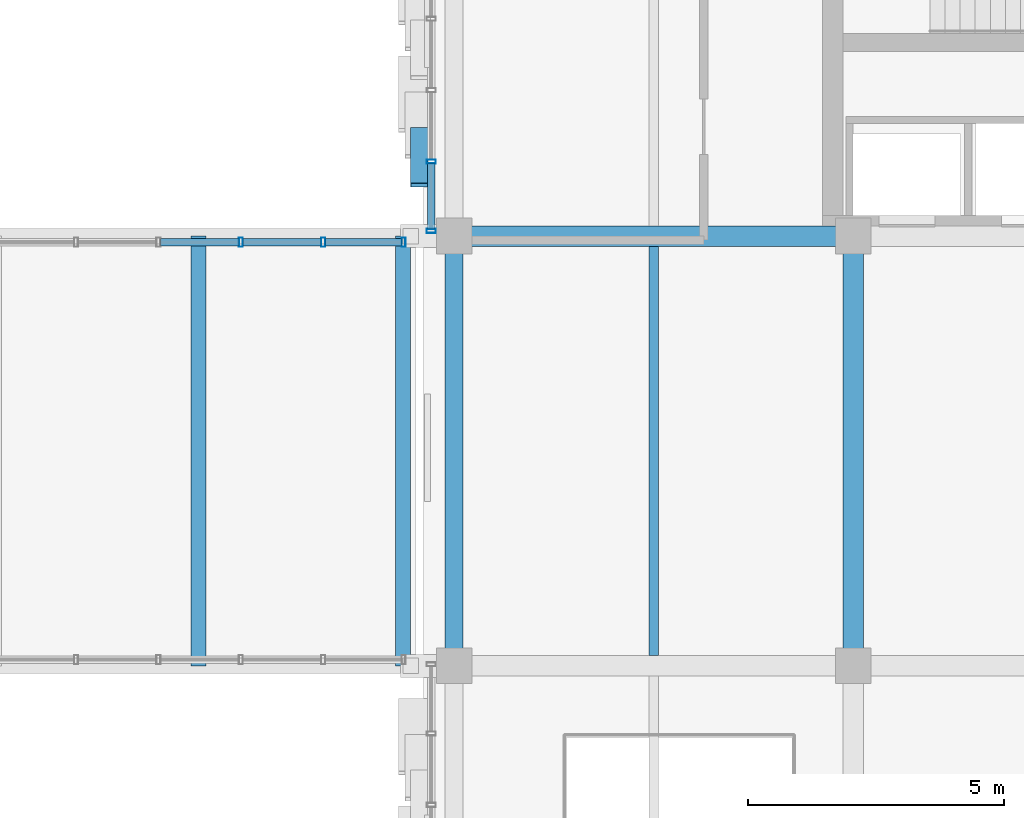
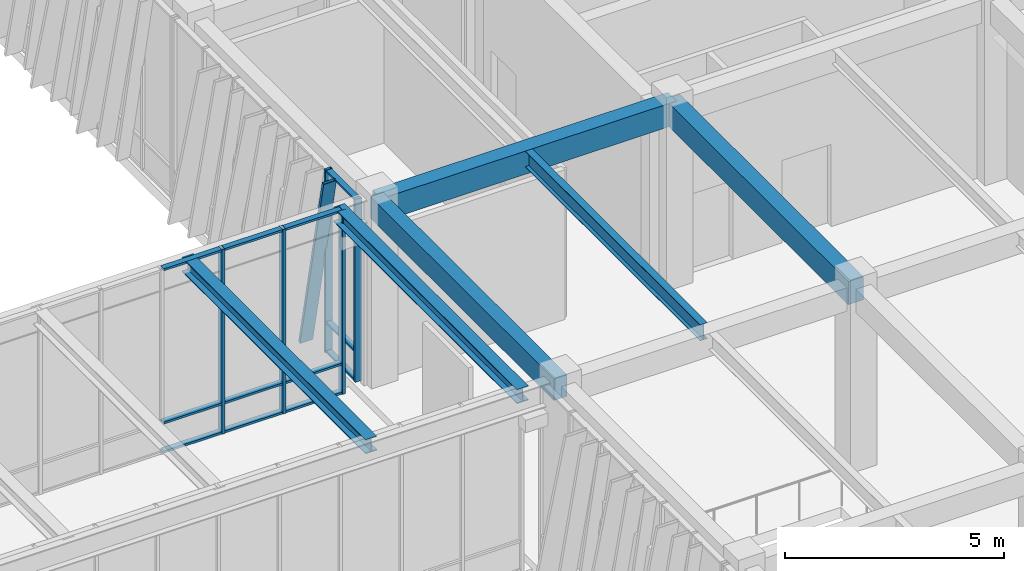
# One storey, part 65 of 139: 18 members, 6 beams, 2 elements without a shape of their own.
"""IFC4 building model written with IfcOpenShell, lengths in metres."""

from ifc_helpers import new_model, si_unit, direction, frame, origin, origin_2d, place, context, subcontext, project, spatial, rectangle, hollow_rectangle, i_section, extrude, material, layer, layer_set, material_profile, profile_set, type_object, element, aggregate, save


model = new_model("IFC4")

# Units and contexts
model_context = context("Model", 3, precision=1e-05, world=origin(), true_north=direction((0.0, 1.0)))
body_context = subcontext(model_context, "Body", "Model", "MODEL_VIEW")
ifc_project = project(units=[si_unit("LENGTHUNIT", "METRE"), si_unit("AREAUNIT", "SQUARE_METRE"), si_unit("VOLUMEUNIT", "CUBIC_METRE"), si_unit("PLANEANGLEUNIT", "RADIAN"), si_unit("MASSUNIT", "GRAM", prefix="KILO")], contexts=[model_context])

# Site, building, storey
site_placement = place(None, origin())
site = spatial("IfcSite", under=ifc_project, at=site_placement, CompositionType="ELEMENT")
building_placement = place(site_placement, origin())
building = spatial("IfcBuilding", under=site, at=building_placement, Name="Zayran Congress Hotel", CompositionType="ELEMENT")
storey_placement = place(building_placement, frame((0.0, 0.0, 5.39990234375)))
storey = spatial("IfcBuildingStorey", under=building, at=storey_placement, Name="L01", CompositionType="ELEMENT", Elevation=5.39990234375)

# Beams
ifc_material_1 = material(Name="Concrete C40/50", Category="concrete")
ifc_material_profile_1 = material_profile(ifc_material_1, rectangle(XDim=0.39990234375, YDim=0.64990234375, at=origin_2d()), Name="RC 400x650")
ifc_profile_set_1 = profile_set([ifc_material_profile_1], Name="Concrete C40/50")
beam_type_1 = type_object("IfcBeamType", Name="TP-BM-03", PredefinedType="BEAM", material=ifc_profile_set_1)
beam_1_placement = place(storey_placement, frame((109.800048828125, 84.39990234375, 4.775146484375), z_axis=(1.0, 0.0, 0.0), x_axis=(0.0, 1.0, 0.0)))
element("IfcBeam", 1, at=beam_1_placement, inside=storey, type_object=beam_type_1, Name="BM-V4-L01-1328", PredefinedType="BEAM", context=body_context, shape_type="SweptSolid", body=[
    extrude(rectangle(XDim=0.39990234375, YDim=0.64990234375, at=origin_2d()), origin(), (0.0, 0.0, 1.0), 7.800048828125),
])
beam_2_placement = place(storey_placement, frame((117.60009765625, 76.0, 4.775146484375), z_axis=(0.0, 1.0, 0.0), x_axis=(-1.0, 0.0, 0.0)))
element("IfcBeam", 2, at=beam_2_placement, inside=storey, type_object=beam_type_1, Name="BM-V4-L01-1355", PredefinedType="BEAM", context=body_context, shape_type="SweptSolid", body=[
    extrude(rectangle(XDim=0.39990234375, YDim=0.64990234375, at=origin_2d()), origin(), (0.0, 0.0, 1.0), 8.39990234375),
])
ifc_material_profile_2 = material_profile(ifc_material_1, rectangle(XDim=0.35009765625, YDim=0.60009765625, at=origin_2d()), Name="RC 350x600")
ifc_profile_set_2 = profile_set([ifc_material_profile_2], Name="Concrete C40/50")
beam_type_2 = type_object("IfcBeamType", Name="TP-SP-01", PredefinedType="SPANDREL", material=ifc_profile_set_2)
beam_3_placement = place(storey_placement, frame((109.800048828125, 76.0, 4.800048828125), z_axis=(0.0, 1.0, 0.0), x_axis=(-1.0, 0.0, 0.0)))
element("IfcBeam", 3, at=beam_3_placement, inside=storey, type_object=beam_type_2, Name="BM-V4-L01-1348", PredefinedType="SPANDREL", context=body_context, shape_type="SweptSolid", body=[
    extrude(rectangle(XDim=0.35009765625, YDim=0.60009765625, at=origin_2d()), origin(), (0.0, 0.0, 1.0), 8.39990234375),
])
ifc_material_2 = material(Name="Steel S355", Category="steel")
ifc_material_profile_3 = material_profile(ifc_material_2, i_section(OverallWidth=0.300048828125, OverallDepth=0.39990234375, WebThickness=0.013427734375, FlangeThickness=0.02392578125, at=origin_2d()), Name="HEB 400")
ifc_profile_set_3 = profile_set([ifc_material_profile_3], Name="Steel S355")
beam_type_3 = type_object("IfcBeamType", Name="TP-BM-10", PredefinedType="BEAM", material=ifc_profile_set_3)
for number, where, z_axis, x_axis, name in (
    (4, (104.800048828125, 76.0, 4.9501953125), (0.0, 1.0, 0.0), (-1.0, 0.0, 0.0), "BM-BR1C-L01-2413"),
    (5, (108.800048828125, 76.0, 4.9501953125), (0.0, 1.0, 0.0), (-1.0, 0.0, 0.0), "BM-BR1C-L01-2414"),
):
    element("IfcBeam", number, at=place(storey_placement, frame(where, z_axis=z_axis, x_axis=x_axis)), inside=storey, type_object=beam_type_3, Name=name, PredefinedType="BEAM", context=body_context, shape_type="SweptSolid", body=[
        extrude(i_section(OverallWidth=0.300048828125, OverallDepth=0.39990234375, WebThickness=0.013427734375, FlangeThickness=0.02392578125, at=origin_2d()), origin(), (0.0, 0.0, 1.0), 8.39990234375),
    ])
ifc_material_profile_4 = material_profile(ifc_material_2, i_section(OverallWidth=0.18994140625, OverallDepth=0.449951171875, WebThickness=0.009521484375, FlangeThickness=0.0146484375, at=origin_2d()), Name="IPE 450")
ifc_profile_set_4 = profile_set([ifc_material_profile_4], Name="Steel S355")
beam_type_4 = type_object("IfcBeamType", Name="TP-JS-02", PredefinedType="JOIST", material=ifc_profile_set_4)
beam_4_placement = place(storey_placement, frame((113.699951171875, 76.199951171875, 4.875), z_axis=(0.0, 1.0, 0.0), x_axis=(-1.0, 0.0, 0.0)))
element("IfcBeam", 6, at=beam_4_placement, inside=storey, type_object=beam_type_4, Name="JST-V4-L01-1386", PredefinedType="JOIST", context=body_context, shape_type="SweptSolid", body=[
    extrude(i_section(OverallWidth=0.18994140625, OverallDepth=0.449951171875, WebThickness=0.009521484375, FlangeThickness=0.0146484375, at=origin_2d()), origin(), (0.0, 0.0, 1.0), 8.0),
])

# Curtain wall, members
ifc_material_3 = material(Name="Anodised aluminium and low-E insulated glass", Category="aluminium")
ifc_layer_1 = layer(ifc_material_3, 0.179931640625)
ifc_layer_set_1 = layer_set([ifc_layer_1], Name="Anodised aluminium and low-E insulated glass")
curtain_wall_type_1 = type_object("IfcCurtainWallType", Name="CW-V4W-L01-CW-53-8371-5100", PredefinedType="USERDEFINED", material=ifc_layer_set_1)
curtain_wall_1_placement = place(storey_placement, origin())
curtain_wall_1 = element("IfcCurtainWall", 7, at=curtain_wall_1_placement, inside=storey, type_object=curtain_wall_type_1, Name="CW-V4W-L01-5", ObjectType="CURTAIN WALL", PredefinedType="USERDEFINED")
ifc_material_4 = material(Name="Anodised aluminium framing", Category="aluminium")
ifc_material_profile_5 = material_profile(ifc_material_4, hollow_rectangle(XDim=0.080078125, YDim=0.179931640625, WallThickness=0.0048828125, at=origin_2d()), Name="RHS 180x80x5")
ifc_profile_set_5 = profile_set([ifc_material_profile_5], Name="Anodised aluminium framing")
member_type_1 = type_object("IfcMemberType", Name="TP-CWM-01", PredefinedType="MULLION", material=ifc_profile_set_5)
member_1_placement = place(storey_placement, frame((109.35009765625, 85.856201171875, 0.0), z_axis=(0.0, 0.0, 1.0), x_axis=(0.0, 1.0, 0.0)))
member_1 = element("IfcMember", 8, at=member_1_placement, type_object=member_type_1, Name="CW-V4W-L01-5-M05", PredefinedType="MULLION", context=body_context, shape_type="SweptSolid", body=[
    extrude(hollow_rectangle(XDim=0.080078125, YDim=0.179931640625, WallThickness=0.0048828125, at=origin_2d()), origin(), (0.0, 0.0, 1.0), 5.10009765625),
])
member_2_placement = place(storey_placement, frame((109.35009765625, 84.5009765625, 0.0), z_axis=(0.0, 0.0, 1.0), x_axis=(0.0, 1.0, 0.0)))
member_2 = element("IfcMember", 9, at=member_2_placement, type_object=member_type_1, Name="CW-V4W-L01-5-M06", PredefinedType="MULLION", context=body_context, shape_type="SweptSolid", body=[
    extrude(hollow_rectangle(XDim=0.080078125, YDim=0.179931640625, WallThickness=0.0048828125, at=origin_2d()), origin(), (0.0, 0.0, 1.0), 5.10009765625),
])

ifc_layer_2 = layer(ifc_material_3, 0.179931640625)
ifc_layer_set_2 = layer_set([ifc_layer_2], Name="Anodised aluminium and low-E insulated glass")
curtain_wall_type_2 = type_object("IfcCurtainWallType", Name="CW-BR1-L01-CW-BR1-16100-5150", PredefinedType="USERDEFINED", material=ifc_layer_set_2)
curtain_wall_2_placement = place(storey_placement, origin())
curtain_wall_2 = element("IfcCurtainWall", 10, at=curtain_wall_2_placement, inside=storey, type_object=curtain_wall_type_2, Name="CW-BR1N-L01", ObjectType="CURTAIN WALL", PredefinedType="USERDEFINED")
member_3_placement = place(storey_placement, frame((108.81005859375, 84.280029296875, 0.0), z_axis=(0.0, 0.0, 1.0), x_axis=(1.0, 0.0, 0.0)))
member_3 = element("IfcMember", 11, at=member_3_placement, type_object=member_type_1, Name="CW-BR1N-L01-M00", PredefinedType="MULLION", context=body_context, shape_type="SweptSolid", body=[
    extrude(hollow_rectangle(XDim=0.080078125, YDim=0.179931640625, WallThickness=0.0048828125, at=origin_2d()), origin(), (0.0, 0.0, 1.0), 5.150146484375),
])
member_4_placement = place(storey_placement, frame((107.239990234375, 84.280029296875, 0.0), z_axis=(0.0, 0.0, 1.0), x_axis=(1.0, 0.0, 0.0)))
member_4 = element("IfcMember", 12, at=member_4_placement, type_object=member_type_1, Name="CW-BR1N-L01-M01", PredefinedType="MULLION", context=body_context, shape_type="SweptSolid", body=[
    extrude(hollow_rectangle(XDim=0.080078125, YDim=0.179931640625, WallThickness=0.0048828125, at=origin_2d()), origin(), (0.0, 0.0, 1.0), 5.150146484375),
])
member_5_placement = place(storey_placement, frame((105.6298828125, 84.280029296875, 0.0), z_axis=(0.0, 0.0, 1.0), x_axis=(1.0, 0.0, 0.0)))
member_5 = element("IfcMember", 13, at=member_5_placement, type_object=member_type_1, Name="CW-BR1N-L01-M02", PredefinedType="MULLION", context=body_context, shape_type="SweptSolid", body=[
    extrude(hollow_rectangle(XDim=0.080078125, YDim=0.179931640625, WallThickness=0.0048828125, at=origin_2d()), origin(), (0.0, 0.0, 1.0), 5.150146484375),
])

# Member
ifc_material_profile_6 = material_profile(ifc_material_4, hollow_rectangle(XDim=0.06005859375, YDim=0.14990234375, WallThickness=0.00390625, at=origin_2d()), Name="RHS 150x60x4")
ifc_profile_set_6 = profile_set([ifc_material_profile_6], Name="Anodised aluminium framing")
member_type_2 = type_object("IfcMemberType", Name="TP-CWT-01", PredefinedType="USERDEFINED", material=ifc_profile_set_6)
member_6_placement = place(storey_placement, frame((109.35009765625, 85.816162109375, 0.030029296875), z_axis=(0.0, -1.0, 0.0), x_axis=(0.0, 0.0, 1.0)))
member_6 = element("IfcMember", 14, at=member_6_placement, type_object=member_type_2, Name="CW-V4W-L01-5-T05-0", ObjectType="TRANSOM", PredefinedType="USERDEFINED", context=body_context, shape_type="SweptSolid", body=[
    extrude(hollow_rectangle(XDim=0.06005859375, YDim=0.14990234375, WallThickness=0.00390625, at=origin_2d()), origin(), (0.0, 0.0, 1.0), 1.275146484375),
])

member_7_placement = place(storey_placement, frame((109.35009765625, 85.816162109375, 0.840087890625), z_axis=(0.0, -1.0, 0.0), x_axis=(0.0, 0.0, 1.0)))
member_7 = element("IfcMember", 15, at=member_7_placement, type_object=member_type_2, Name="CW-V4W-L01-5-T05-1", ObjectType="TRANSOM", PredefinedType="USERDEFINED", context=body_context, shape_type="SweptSolid", body=[
    extrude(hollow_rectangle(XDim=0.06005859375, YDim=0.14990234375, WallThickness=0.00390625, at=origin_2d()), origin(), (0.0, 0.0, 1.0), 1.275146484375),
])

member_8_placement = place(storey_placement, frame((109.35009765625, 85.816162109375, 5.070068359375), z_axis=(0.0, -1.0, 0.0), x_axis=(0.0, 0.0, 1.0)))
member_8 = element("IfcMember", 16, at=member_8_placement, type_object=member_type_2, Name="CW-V4W-L01-5-T05-2", ObjectType="TRANSOM", PredefinedType="USERDEFINED", context=body_context, shape_type="SweptSolid", body=[
    extrude(hollow_rectangle(XDim=0.06005859375, YDim=0.14990234375, WallThickness=0.00390625, at=origin_2d()), origin(), (0.0, 0.0, 1.0), 1.275146484375),
])

member_9_placement = place(storey_placement, frame((108.77001953125, 84.280029296875, 0.030029296875), z_axis=(-1.0, 0.0, 0.0), x_axis=(0.0, 0.0, 1.0)))
member_9 = element("IfcMember", 17, at=member_9_placement, type_object=member_type_2, Name="CW-BR1N-L01-T00-0", ObjectType="TRANSOM", PredefinedType="USERDEFINED", context=body_context, shape_type="SweptSolid", body=[
    extrude(hollow_rectangle(XDim=0.06005859375, YDim=0.14990234375, WallThickness=0.00390625, at=origin_2d()), origin(), (0.0, 0.0, 1.0), 1.489990234375),
])

member_10_placement = place(storey_placement, frame((108.77001953125, 84.280029296875, 0.840087890625), z_axis=(-1.0, 0.0, 0.0), x_axis=(0.0, 0.0, 1.0)))
member_10 = element("IfcMember", 18, at=member_10_placement, type_object=member_type_2, Name="CW-BR1N-L01-T00-1", ObjectType="TRANSOM", PredefinedType="USERDEFINED", context=body_context, shape_type="SweptSolid", body=[
    extrude(hollow_rectangle(XDim=0.06005859375, YDim=0.14990234375, WallThickness=0.00390625, at=origin_2d()), origin(), (0.0, 0.0, 1.0), 1.489990234375),
])

member_11_placement = place(storey_placement, frame((108.77001953125, 84.280029296875, 5.1201171875), z_axis=(-1.0, 0.0, 0.0), x_axis=(0.0, 0.0, 1.0)))
member_11 = element("IfcMember", 19, at=member_11_placement, type_object=member_type_2, Name="CW-BR1N-L01-T00-2", ObjectType="TRANSOM", PredefinedType="USERDEFINED", context=body_context, shape_type="SweptSolid", body=[
    extrude(hollow_rectangle(XDim=0.06005859375, YDim=0.14990234375, WallThickness=0.00390625, at=origin_2d()), origin(), (0.0, 0.0, 1.0), 1.489990234375),
])

member_12_placement = place(storey_placement, frame((107.199951171875, 84.280029296875, 0.030029296875), z_axis=(-1.0, 0.0, 0.0), x_axis=(0.0, 0.0, 1.0)))
member_12 = element("IfcMember", 20, at=member_12_placement, type_object=member_type_2, Name="CW-BR1N-L01-T01-0", ObjectType="TRANSOM", PredefinedType="USERDEFINED", context=body_context, shape_type="SweptSolid", body=[
    extrude(hollow_rectangle(XDim=0.06005859375, YDim=0.14990234375, WallThickness=0.00390625, at=origin_2d()), origin(), (0.0, 0.0, 1.0), 1.530029296875),
])

member_13_placement = place(storey_placement, frame((107.199951171875, 84.280029296875, 0.840087890625), z_axis=(-1.0, 0.0, 0.0), x_axis=(0.0, 0.0, 1.0)))
member_13 = element("IfcMember", 21, at=member_13_placement, type_object=member_type_2, Name="CW-BR1N-L01-T01-1", ObjectType="TRANSOM", PredefinedType="USERDEFINED", context=body_context, shape_type="SweptSolid", body=[
    extrude(hollow_rectangle(XDim=0.06005859375, YDim=0.14990234375, WallThickness=0.00390625, at=origin_2d()), origin(), (0.0, 0.0, 1.0), 1.530029296875),
])

member_14_placement = place(storey_placement, frame((107.199951171875, 84.280029296875, 5.1201171875), z_axis=(-1.0, 0.0, 0.0), x_axis=(0.0, 0.0, 1.0)))
member_14 = element("IfcMember", 22, at=member_14_placement, type_object=member_type_2, Name="CW-BR1N-L01-T01-2", ObjectType="TRANSOM", PredefinedType="USERDEFINED", context=body_context, shape_type="SweptSolid", body=[
    extrude(hollow_rectangle(XDim=0.06005859375, YDim=0.14990234375, WallThickness=0.00390625, at=origin_2d()), origin(), (0.0, 0.0, 1.0), 1.530029296875),
])

member_15_placement = place(storey_placement, frame((105.590087890625, 84.280029296875, 0.030029296875), z_axis=(-1.0, 0.0, 0.0), x_axis=(0.0, 0.0, 1.0)))
member_15 = element("IfcMember", 23, at=member_15_placement, type_object=member_type_2, Name="CW-BR1N-L01-T02-0", ObjectType="TRANSOM", PredefinedType="USERDEFINED", context=body_context, shape_type="SweptSolid", body=[
    extrude(hollow_rectangle(XDim=0.06005859375, YDim=0.14990234375, WallThickness=0.00390625, at=origin_2d()), origin(), (0.0, 0.0, 1.0), 1.530029296875),
])

member_16_placement = place(storey_placement, frame((105.590087890625, 84.280029296875, 0.840087890625), z_axis=(-1.0, 0.0, 0.0), x_axis=(0.0, 0.0, 1.0)))
member_16 = element("IfcMember", 24, at=member_16_placement, type_object=member_type_2, Name="CW-BR1N-L01-T02-1", ObjectType="TRANSOM", PredefinedType="USERDEFINED", context=body_context, shape_type="SweptSolid", body=[
    extrude(hollow_rectangle(XDim=0.06005859375, YDim=0.14990234375, WallThickness=0.00390625, at=origin_2d()), origin(), (0.0, 0.0, 1.0), 1.530029296875),
])

member_17_placement = place(storey_placement, frame((105.590087890625, 84.280029296875, 5.1201171875), z_axis=(-1.0, 0.0, 0.0), x_axis=(0.0, 0.0, 1.0)))
member_17 = element("IfcMember", 25, at=member_17_placement, type_object=member_type_2, Name="CW-BR1N-L01-T02-2", ObjectType="TRANSOM", PredefinedType="USERDEFINED", context=body_context, shape_type="SweptSolid", body=[
    extrude(hollow_rectangle(XDim=0.06005859375, YDim=0.14990234375, WallThickness=0.00390625, at=origin_2d()), origin(), (0.0, 0.0, 1.0), 1.530029296875),
])

aggregate(curtain_wall_2, [member_3, member_4, member_5, member_9, member_10, member_11, member_12, member_13, member_14, member_15, member_16, member_17])

ifc_material_5 = material(Name="Warm bronze anodised aluminium", Category="aluminium")
ifc_material_profile_7 = material_profile(ifc_material_5, hollow_rectangle(XDim=0.080078125, YDim=0.340087890625, WallThickness=0.006103515625, at=origin_2d()), Name="RHS 340x80x6")
ifc_profile_set_7 = profile_set([ifc_material_profile_7], Name="Warm bronze anodised aluminium")
member_type_3 = type_object("IfcMemberType", Name="TP-RFN-03", PredefinedType="MULLION", material=ifc_profile_set_7)
member_18_placement = place(storey_placement, frame((109.1201171875, 86.48193359375, 0.0), z_axis=(0.0, -0.207897956377, 0.978150519979), x_axis=(0.0, 0.978150519979, 0.207897956377)))
member_18 = element("IfcMember", 26, at=member_18_placement, type_object=member_type_3, Name="Slanting Reed Mullion CW-53-09", PredefinedType="MULLION", context=body_context, shape_type="SweptSolid", body=[
    extrude(hollow_rectangle(XDim=0.080078125, YDim=0.340087890625, WallThickness=0.006103515625, at=origin_2d()), origin(), (0.0, 0.0, 1.0), 5.214111328125),
])

aggregate(curtain_wall_1, [member_1, member_2, member_6, member_7, member_8, member_18])

save(model, "model.ifc")
